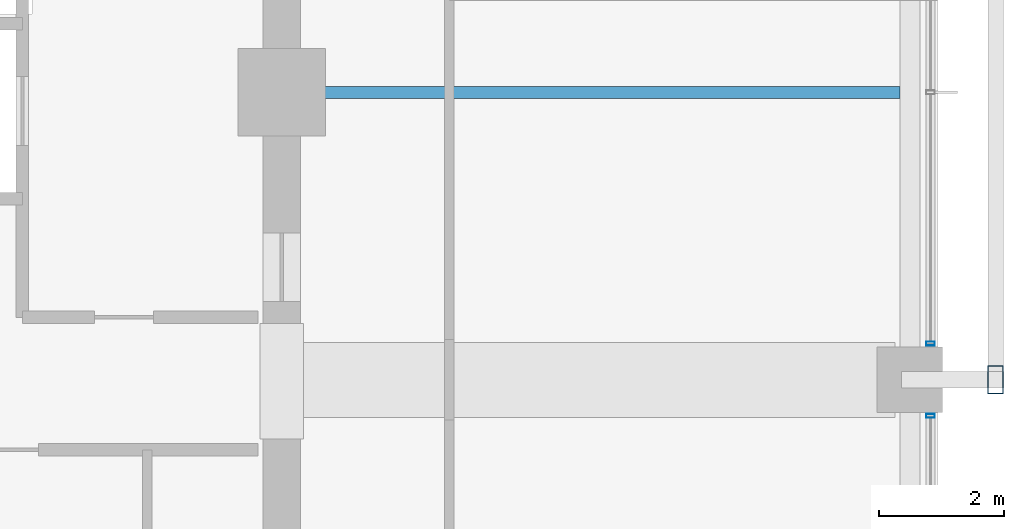
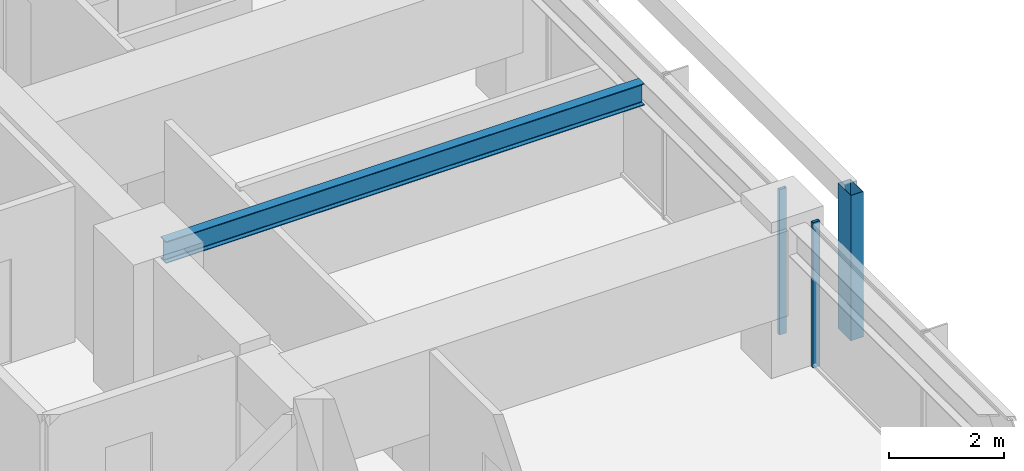
# One storey, part 16 of 39: 3 members, 1 beam, 2 elements without a shape of their own.
"""IFC4 building model written with IfcOpenShell, lengths in metres."""

import ifcopenshell
import ifcopenshell.guid

model = None  # the IFC model being written
_history = None  # IfcOwnerHistory: only IFC2X3 demands one
_inside = {}  # id of a spatial element -> (the spatial element, [elements in it])
_under = {}  # id of a project, library or spatial element -> (it, [spatial elements below it])
_declared = {}  # id of a project -> (the project, [libraries it declares])
_typed = {}  # id of a type object -> (the type object, [elements of that type])
_made_of = {}  # id of a material, layer set ... -> (it, [elements and type objects made of it])


def new_model(schema):
    """Start an empty IFC model of exactly this schema.

    Asked for "IFC4X3", IfcOpenShell would pick the latest addendum, in which some entities
    have other attributes; the version numbers below select the first issue.
    IFC2X3 requires an IfcOwnerHistory on every rooted entity: one is made here for all.
    """
    global model, _history
    if schema == "IFC4X3":
        model = ifcopenshell.file(schema_version=(4, 3, 0, 0))
    else:
        model = ifcopenshell.file(schema=schema)
    _inside.clear()
    _under.clear()
    _declared.clear()
    _typed.clear()
    _made_of.clear()
    _history = None
    if model.schema == "IFC2X3":
        org = make("IfcOrganization", Name="unknown")
        user = make(
            "IfcPersonAndOrganization",
            ThePerson=make("IfcPerson", FamilyName="unknown"),
            TheOrganization=org,
        )
        app = make(
            "IfcApplication",
            ApplicationDeveloper=org,
            Version="unknown",
            ApplicationFullName="unknown",
            ApplicationIdentifier="unknown",
        )
        _history = make(
            "IfcOwnerHistory",
            OwningUser=user,
            OwningApplication=app,
            ChangeAction="ADDED",
            CreationDate=0,
        )
    return model


def make(cls, **values):
    """One entity of the class cls with the attributes given. An attribute that is None is left unset."""
    return model.create_entity(
        cls, **{name: value for name, value in values.items() if value is not None}
    )


def rooted(cls, **values):
    """An entity with a GlobalId (a new one), such as an element, a storey or a relation."""
    return make(cls, GlobalId=ifcopenshell.guid.new(), OwnerHistory=_history, **values)


def si_unit(unit_type, name, prefix=None):
    """IfcSIUnit, for example si_unit("LENGTHUNIT", "METRE", prefix="MILLI")."""
    return make("IfcSIUnit", UnitType=unit_type, Prefix=prefix, Name=name)


def assignment(units):
    """IfcUnitAssignment: the units of a project."""
    return None if units is None else make("IfcUnitAssignment", Units=units)


def point(xyz):
    """IfcCartesianPoint."""
    return None if xyz is None else make("IfcCartesianPoint", Coordinates=xyz)


def direction(xyz):
    """IfcDirection."""
    return None if xyz is None else make("IfcDirection", DirectionRatios=xyz)


def frame(location, z_axis=None, x_axis=None):
    """IfcAxis2Placement3D, a coordinate frame: its origin and axes. An axis left out is left unset."""
    return make(
        "IfcAxis2Placement3D",
        Location=point(location),
        Axis=direction(z_axis),
        RefDirection=direction(x_axis),
    )


def frame_2d(location, x_axis=None):
    """IfcAxis2Placement2D, a coordinate frame in the plane: its origin and x axis."""
    return make(
        "IfcAxis2Placement2D", Location=point(location), RefDirection=direction(x_axis)
    )


def origin():
    """The frame at (0, 0, 0) with its axes left unset."""
    return frame((0.0, 0.0, 0.0))


def origin_2d():
    """The frame at (0, 0) in the plane with its x axis left unset."""
    return frame_2d((0.0, 0.0))


def place(relative_to, where):
    """IfcLocalPlacement: puts the frame where relative to a parent placement (None: the world)."""
    return make(
        "IfcLocalPlacement", PlacementRelTo=relative_to, RelativePlacement=where
    )


def context(
    kind, dimensions, precision=None, world=None, true_north=None, identifier=None
):
    """IfcGeometricRepresentationContext, for example the 3D "Model" context."""
    return make(
        "IfcGeometricRepresentationContext",
        ContextIdentifier=identifier,
        ContextType=kind,
        CoordinateSpaceDimension=dimensions,
        Precision=precision,
        WorldCoordinateSystem=world,
        TrueNorth=true_north,
    )


def subcontext(parent, identifier, kind, view, scale=None):
    """IfcGeometricRepresentationSubContext, for example "Body" below "Model"."""
    return make(
        "IfcGeometricRepresentationSubContext",
        ContextIdentifier=identifier,
        ContextType=kind,
        ParentContext=parent,
        TargetScale=scale,
        TargetView=view,
    )


def project(units=None, contexts=None):
    """IfcProject with its units and contexts."""
    return rooted(
        "IfcProject",
        Name="project",
        RepresentationContexts=contexts,
        UnitsInContext=assignment(units),
    )


def spatial(cls, under=None, at=None, **own):
    """A site, building, storey or space (cls), placed at a placement, below another one or the project."""
    s = rooted(cls, ObjectPlacement=at, **own)
    if under is not None:
        _under.setdefault(under.id(), (under, []))[1].append(s)
    return s


def profile(cls, at=None, kind="AREA", **sizes):
    """A parametric profile (cls). Its sizes go by their IFC names, for example OverallWidth=200.0."""
    return make(cls, ProfileType=kind, Position=at, **sizes)


def hollow_rectangle(**sizes):
    """IfcRectangleHollowProfileDef."""
    return profile("IfcRectangleHollowProfileDef", **sizes)


def i_section(**sizes):
    """IfcIShapeProfileDef."""
    return profile("IfcIShapeProfileDef", **sizes)


def extrude(swept, where, along, depth):
    """IfcExtrudedAreaSolid: the profile swept, set in the frame where, extruded along a direction by depth."""
    return make(
        "IfcExtrudedAreaSolid",
        SweptArea=swept,
        Position=where,
        ExtrudedDirection=direction(along),
        Depth=depth,
    )


def shape(context_of_items, identifier, shape_type, items):
    """IfcShapeRepresentation: the items that make up one representation, for example the "Body"."""
    return make(
        "IfcShapeRepresentation",
        ContextOfItems=context_of_items,
        RepresentationIdentifier=identifier,
        RepresentationType=shape_type,
        Items=items,
    )


def material(Name=None, Category=None):
    """IfcMaterial."""
    return make("IfcMaterial", Name=Name, Category=Category)


def material_profile(
    of_material, cross_section, Name=None, Category=None, Priority=None
):
    """IfcMaterialProfile: a cross section and its material."""
    return make(
        "IfcMaterialProfile",
        Name=Name,
        Material=of_material,
        Profile=cross_section,
        Priority=Priority,
        Category=Category,
    )


def profile_set(profiles, Name=None, composite=None):
    """IfcMaterialProfileSet."""
    return make(
        "IfcMaterialProfileSet",
        Name=Name,
        MaterialProfiles=profiles,
        CompositeProfile=composite,
    )


def made_of(thing, what):
    """Note that an element or type object is made of a material, layer set ...; save() writes the relation."""
    if what is not None:
        _made_of.setdefault(what.id(), (what, []))[1].append(thing)
    return thing


def type_object(cls, material=None, **own):
    """A type object (cls), such as IfcWallType, which elements share."""
    return made_of(rooted(cls, **own), material)


def element(
    cls,
    number,
    at=None,
    inside=None,
    cuts=None,
    type_object=None,
    material=None,
    context=None,
    identifier="Body",
    shape_type=None,
    held_by="IfcProductDefinitionShape",
    body=None,
    shapes=None,
    **own,
):
    """One element of the class cls, such as IfcWall. Its Tag is "e" and its number.

    at: its placement. inside: the storey or other place that contains it. cuts: it is an
    opening in that element (IfcRelVoidsElement). A single representation is given by context,
    identifier, shape_type and body (its items); several are given by shapes. held_by: the class
    of the entity that holds the representations. save() writes the other relations.
    """
    e = rooted(cls, Tag="e%d" % number, ObjectPlacement=at, **own)
    if body is not None:
        shapes = [shape(context, identifier, shape_type, body)]
    if shapes is not None:
        e.Representation = make(held_by, Representations=shapes)
    if inside is not None:
        _inside.setdefault(inside.id(), (inside, []))[1].append(e)
    if cuts is not None:
        rooted(
            "IfcRelVoidsElement", RelatingBuildingElement=cuts, RelatedOpeningElement=e
        )
    if type_object is not None:
        _typed.setdefault(type_object.id(), (type_object, []))[1].append(e)
    return made_of(e, material)


def aggregate(whole, parts):
    """IfcRelAggregates: a whole, such as a stair, and the parts it consists of."""
    return rooted("IfcRelAggregates", RelatingObject=whole, RelatedObjects=parts)


def save(model, path):
    """Write the relations noted so far, then the file.

    IfcRelAggregates (storeys below a building ...), IfcRelContainedInSpatialStructure (elements
    in a storey), IfcRelDefinesByType, IfcRelAssociatesMaterial and IfcRelDeclares: one each for
    every whole, place, type object, material and project.
    """
    for whole, parts in _under.values():
        aggregate(whole, parts)
    for where, things in _inside.values():
        rooted(
            "IfcRelContainedInSpatialStructure",
            RelatedElements=things,
            RelatingStructure=where,
        )
    for kind, things in _typed.values():
        rooted("IfcRelDefinesByType", RelatedObjects=things, RelatingType=kind)
    for what, things in _made_of.values():
        rooted("IfcRelAssociatesMaterial", RelatedObjects=things, RelatingMaterial=what)
    for by, libraries in _declared.values():
        rooted("IfcRelDeclares", RelatingContext=by, RelatedDefinitions=libraries)
    model.write(path)


model = new_model("IFC4")

# Units and contexts
model_context = context("Model", 3, precision=1e-05, world=origin(), true_north=direction((0.0, 1.0)))
body_context = subcontext(model_context, "Body", "Model", "MODEL_VIEW")
ifc_project = project(units=[si_unit("LENGTHUNIT", "METRE"), si_unit("AREAUNIT", "SQUARE_METRE"), si_unit("VOLUMEUNIT", "CUBIC_METRE"), si_unit("PLANEANGLEUNIT", "RADIAN"), si_unit("MASSUNIT", "GRAM", prefix="KILO")], contexts=[model_context])

# Site, building, storey
site_placement = place(None, origin())
site = spatial("IfcSite", under=ifc_project, at=site_placement, CompositionType="ELEMENT")
building_placement = place(site_placement, origin())
building = spatial("IfcBuilding", under=site, at=building_placement, Name="Kolvaren Belvedere", CompositionType="ELEMENT")
storey_placement = place(building_placement, frame((0.0, 0.0, 85.39990234375)))
storey = spatial("IfcBuildingStorey", under=building, at=storey_placement, Name="L24", CompositionType="ELEMENT", Elevation=85.39990234375)

# Beam
ifc_material_1 = material(Name="Structural steel ASTM A992 Grade 50", Category="steel")
ifc_material_profile_1 = material_profile(ifc_material_1, i_section(OverallWidth=0.19091796875, OverallDepth=0.4599609375, WebThickness=0.010009765625, FlangeThickness=0.01611328125, FilletRadius=0.014892578125, at=origin_2d()), Name="W18X55")
ifc_profile_set_1 = profile_set([ifc_material_profile_1], Name="Structural steel ASTM A992 Grade 50")
beam_type = type_object("IfcBeamType", Name="BM-JOIST-W18X55", PredefinedType="BEAM", material=ifc_profile_set_1)
beam_placement = place(storey_placement, frame((10.199951171875, 0.0, 2.85009765625), z_axis=(1.0, 0.0, 0.0), x_axis=(0.0, 1.0, 0.0)))
element("IfcBeam", 1, at=beam_placement, inside=storey, type_object=beam_type, Name="L24 East Centre Floor Beam", PredefinedType="BEAM", context=body_context, shape_type="SweptSolid", body=[
    extrude(i_section(OverallWidth=0.19091796875, OverallDepth=0.4599609375, WebThickness=0.010009765625, FlangeThickness=0.01611328125, FilletRadius=0.014892578125, at=origin_2d()), origin(), (0.0, 0.0, 1.0), 9.587646484375),
])

# Curtain wall, member
ifc_material_2 = material(Name="Anodised pale-metal aluminium AA 6063-T6", Category="aluminium")
curtain_wall_type = type_object("IfcCurtainWallType", Name="CW-Z2-MID", PredefinedType="NOTDEFINED", material=ifc_material_2)
curtain_wall_1_placement = place(storey_placement, origin())
curtain_wall_1 = element("IfcCurtainWall", 2, at=curtain_wall_1_placement, inside=storey, type_object=curtain_wall_type, Name="L24 Unitised Curtain Wall FCW-L24-E-B2", PredefinedType="NOTDEFINED")
ifc_material_3 = material(Name="Anodised pale-metal aluminium AA 6063-T6", Category="aluminium")
ifc_material_profile_2 = material_profile(ifc_material_3, hollow_rectangle(XDim=0.06494140625, YDim=0.139892578125, WallThickness=0.00390625, at=origin_2d()), Name="ALU-MUL-140X65")
ifc_profile_set_2 = profile_set([ifc_material_profile_2], Name="Anodised pale-metal aluminium AA 6063-T6")
member_type_1 = type_object("IfcMemberType", Name="CW-MUL-140", PredefinedType="MULLION", material=ifc_profile_set_2)
member_1_placement = place(storey_placement, frame((20.280029296875, -4.0224609375, 0.0), z_axis=(0.0, 0.0, 1.0), x_axis=(0.0, 1.0, 0.0)))
member_1 = element("IfcMember", 3, at=member_1_placement, type_object=member_type_1, Name="FCW-L24-E-B2 Unitised Mullion 3", PredefinedType="MULLION", context=body_context, shape_type="SweptSolid", body=[
    extrude(hollow_rectangle(XDim=0.06494140625, YDim=0.139892578125, WallThickness=0.00390625, at=origin_2d()), origin(), (0.0, 0.0, 1.0), 3.080078125),
])
aggregate(curtain_wall_1, [member_1])

curtain_wall_2_placement = place(storey_placement, origin())
curtain_wall_2 = element("IfcCurtainWall", 4, at=curtain_wall_2_placement, inside=storey, type_object=curtain_wall_type, Name="L24 Unitised Curtain Wall FCW-L24-E-B3", PredefinedType="NOTDEFINED")
member_2_placement = place(storey_placement, frame((20.280029296875, -5.177490234375, 0.0), z_axis=(0.0, 0.0, 1.0), x_axis=(0.0, 1.0, 0.0)))
member_2 = element("IfcMember", 5, at=member_2_placement, type_object=member_type_1, Name="FCW-L24-E-B3 Unitised Mullion 1", PredefinedType="MULLION", context=body_context, shape_type="SweptSolid", body=[
    extrude(hollow_rectangle(XDim=0.06494140625, YDim=0.139892578125, WallThickness=0.00390625, at=origin_2d()), origin(), (0.0, 0.0, 1.0), 3.080078125),
])
aggregate(curtain_wall_2, [member_2])

# Member
ifc_material_4 = material(Name="Anodised pale-metal aluminium AA 6063-T6", Category="aluminium")
ifc_material_profile_3 = material_profile(ifc_material_4, hollow_rectangle(XDim=0.25, YDim=0.449951171875, WallThickness=0.008544921875, at=origin_2d()), Name="ALU-PF-450X250")
ifc_profile_set_3 = profile_set([ifc_material_profile_3], Name="Anodised pale-metal aluminium AA 6063-T6")
member_type_2 = type_object("IfcMemberType", Name="PF-FRAME-450", PredefinedType="USERDEFINED", material=ifc_profile_set_3)
member_3_placement = place(storey_placement, frame((21.320068359375, -4.60009765625, 0.0), z_axis=(0.0, 0.0, 1.0), x_axis=(1.0, 0.0, 0.0)))
element("IfcMember", 6, at=member_3_placement, inside=storey, type_object=member_type_2, Name="L24 Outboard Picture-Frame Vertical E2", ObjectType="PICTURE FRAME FIN", PredefinedType="USERDEFINED", context=body_context, shape_type="SweptSolid", body=[
    extrude(hollow_rectangle(XDim=0.25, YDim=0.449951171875, WallThickness=0.008544921875, at=origin_2d()), origin(), (0.0, 0.0, 1.0), 3.080078125),
])

save(model, "model.ifc")
